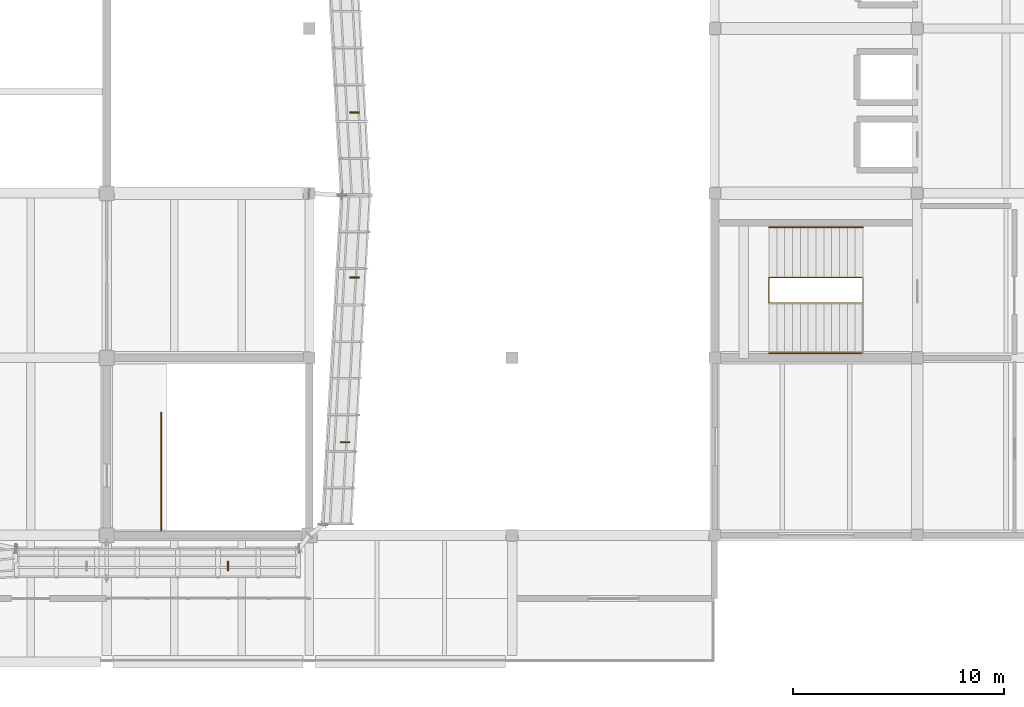
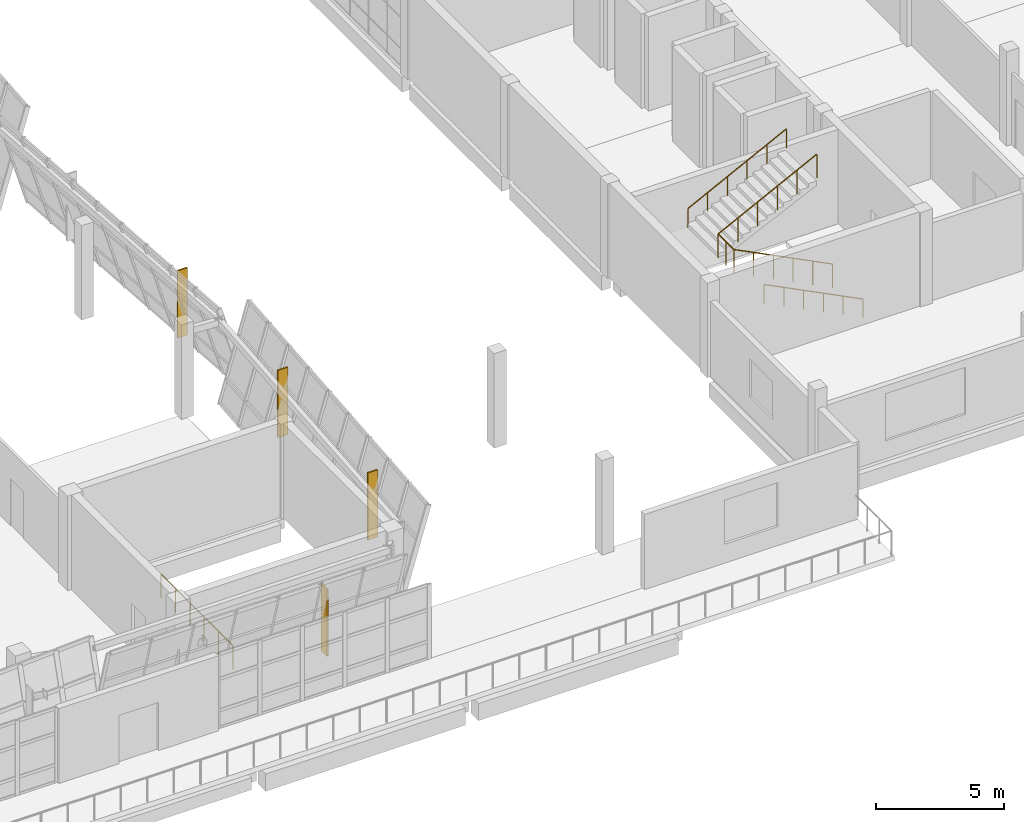
# One storey, part 63 of 67: 4 railings, 4 shading devices.
"""IFC4 building model written with IfcOpenShell, lengths in metres."""

from ifc_helpers import new_model, si_unit, direction, frame, origin, origin_2d, place, context, subcontext, project, spatial, rectangle, circle, extrude, material, type_object, element, save


model = new_model("IFC4")

# Units and contexts
model_context = context("Model", 3, precision=1e-05, world=origin(), true_north=direction((0.0, 1.0)))
body_context = subcontext(model_context, "Body", "Model", "MODEL_VIEW")
ifc_project = project(units=[si_unit("LENGTHUNIT", "METRE"), si_unit("AREAUNIT", "SQUARE_METRE"), si_unit("VOLUMEUNIT", "CUBIC_METRE"), si_unit("PLANEANGLEUNIT", "RADIAN"), si_unit("MASSUNIT", "GRAM", prefix="KILO")], contexts=[model_context])

# Site, building, storey
site_placement = place(None, origin())
site = spatial("IfcSite", under=ifc_project, at=site_placement, CompositionType="ELEMENT")
building_placement = place(site_placement, origin())
building = spatial("IfcBuilding", under=site, at=building_placement, Name="Pellamere Symphony Hall", CompositionType="ELEMENT")
storey_placement = place(building_placement, frame((0.0, 0.0, 19.5)))
storey = spatial("IfcBuildingStorey", under=building, at=storey_placement, Name="L04", CompositionType="ELEMENT", Elevation=19.5)

# Shading devices
ifc_material_1 = material(Name="Champagne-Anodised Extruded Aluminium 6063-T6", Category="aluminium")
shading_device_type = type_object("IfcShadingDeviceType", Name="Exterior Shading SD-01 65x450", PredefinedType="SHUTTER", material=ifc_material_1)
for number, where, z_axis, x_axis, name in (
    (1, (114.949951171875, 28.54345703125, 0.64990234375), (0.0, 0.0, 1.0), (1.0, 0.0, 0.0), "Crystal Acoustic Sunshade Fin CW-CR05 (L04)"),
    (2, (120.4814453125, 34.39990234375, 0.64990234375), (0.0, 0.0, 1.0), (0.0, 1.0, 0.0), "Crystal Acoustic Sunshade Fin CW-CR06 (L04)"),
    (3, (120.931396484375, 42.199951171875, 0.64990234375), (0.0, 0.0, 1.0), (0.0, 1.0, 0.0), "Crystal Acoustic Sunshade Fin CW-CR06 (L04)"),
    (4, (120.931396484375, 50.02490234375, 0.64990234375), (0.0, 0.0, 1.0), (0.0, 1.0, 0.0), "Crystal Acoustic Sunshade Fin CW-CR07 (L04)"),
):
    element("IfcShadingDevice", number, at=place(storey_placement, frame(where, z_axis=z_axis, x_axis=x_axis)), inside=storey, type_object=shading_device_type, Name=name, PredefinedType="SHUTTER", context=body_context, shape_type="SweptSolid", body=[
        extrude(rectangle(XDim=0.06494140625, YDim=0.449951171875, at=origin_2d()), origin(), (0.0, 0.0, 1.0), 3.199951171875),
    ])

# Railings
ifc_material_2 = material(Name="Painted Steel CSA G40.21 350W", Category="steel")
railing_type_1 = type_object("IfcRailingType", Name="Guardrail GR-02 H1150 Painted", PredefinedType="GUARDRAIL", material=ifc_material_2)
railing_1_placement = place(storey_placement, frame((145.02490234375, 40.989990234375, 0.0)))
element("IfcRailing", 5, at=railing_1_placement, inside=storey, type_object=railing_type_1, Name="Stair ST02-L04 Continuous Well Guardrail (L04)", PredefinedType="GUARDRAIL", context=body_context, shape_type="SweptSolid", body=[
    extrude(circle(Radius=0.02392578125, at=origin_2d()), frame((0.0, 0.0, 1.1259765625), z_axis=(-0.892410782461, 0.0, 0.451223886057), x_axis=(0.0, -1.0, 0.0)), (0.0, 0.0, 1.0), 4.986328125),
    extrude(circle(Radius=0.02392578125, at=origin_2d()), frame((-4.449951171875, 0.0, 3.3759765625), z_axis=(0.0, 1.0, 0.0), x_axis=(-1.0, 0.0, 0.0)), (0.0, 0.0, 1.0), 1.219970703125),
    extrude(circle(Radius=0.02392578125, at=origin_2d()), frame((-4.449951171875, 1.219970703125, 3.3759765625), z_axis=(0.892410782461, 0.0, 0.451223886057), x_axis=(0.0, 1.0, 0.0)), (0.0, 0.0, 1.0), 4.986328125),
    extrude(circle(Radius=0.02099609375, at=origin_2d()), origin(), (0.0, 0.0, 1.0), 1.101806640625),
    extrude(circle(Radius=0.02099609375, at=origin_2d()), frame((-0.889892578125, 0.0, 0.449951171875)), (0.0, 0.0, 1.0), 1.101806640625),
    extrude(circle(Radius=0.02099609375, at=origin_2d()), frame((-1.780029296875, 0.0, 0.89990234375)), (0.0, 0.0, 1.0), 1.101806640625),
    extrude(circle(Radius=0.02099609375, at=origin_2d()), frame((-2.669921875, 0.0, 1.35009765625)), (0.0, 0.0, 1.0), 1.101806640625),
    extrude(circle(Radius=0.02099609375, at=origin_2d()), frame((-3.56005859375, 0.0, 1.800048828125)), (0.0, 0.0, 1.0), 1.101806640625),
    extrude(circle(Radius=0.02099609375, at=origin_2d()), frame((-4.449951171875, 0.0, 2.25)), (0.0, 0.0, 1.0), 1.101806640625),
    extrude(circle(Radius=0.02099609375, at=origin_2d()), frame((-4.449951171875, 0.60986328125, 2.25)), (0.0, 0.0, 1.0), 1.101806640625),
    extrude(circle(Radius=0.02099609375, at=origin_2d()), frame((-4.449951171875, 1.219970703125, 2.25)), (0.0, 0.0, 1.0), 1.101806640625),
    extrude(circle(Radius=0.02099609375, at=origin_2d()), frame((-3.56005859375, 1.219970703125, 2.699951171875)), (0.0, 0.0, 1.0), 1.101806640625),
    extrude(circle(Radius=0.02099609375, at=origin_2d()), frame((-2.669921875, 1.219970703125, 3.14990234375)), (0.0, 0.0, 1.0), 1.101806640625),
    extrude(circle(Radius=0.02099609375, at=origin_2d()), frame((-1.780029296875, 1.219970703125, 3.60009765625)), (0.0, 0.0, 1.0), 1.101806640625),
    extrude(circle(Radius=0.02099609375, at=origin_2d()), frame((-0.889892578125, 1.219970703125, 4.050048828125)), (0.0, 0.0, 1.0), 1.101806640625),
    extrude(circle(Radius=0.02099609375, at=origin_2d()), frame((0.0, 1.219970703125, 4.5)), (0.0, 0.0, 1.0), 1.101806640625),
])
railing_2_placement = place(storey_placement, frame((111.77490234375, 30.2099609375, 0.0)))
element("IfcRailing", 6, at=railing_2_placement, inside=storey, type_object=railing_type_1, Name="Stair ST08-L03 Top Landing Well Guard (L04)", PredefinedType="GUARDRAIL", context=body_context, shape_type="SweptSolid", body=[
    extrude(circle(Radius=0.02392578125, at=origin_2d()), frame((0.0, 0.0, 1.1259765625), z_axis=(0.0, 1.0, 0.0), x_axis=(-1.0, 0.0, 0.0)), (0.0, 0.0, 1.0), 5.60009765625),
    extrude(circle(Radius=0.02099609375, at=origin_2d()), origin(), (0.0, 0.0, 1.0), 1.101806640625),
    extrude(circle(Radius=0.02099609375, at=origin_2d()), frame((0.0, 1.1201171875, 0.0)), (0.0, 0.0, 1.0), 1.101806640625),
    extrude(circle(Radius=0.02099609375, at=origin_2d()), frame((0.0, 2.239990234375, 0.0)), (0.0, 0.0, 1.0), 1.101806640625),
    extrude(circle(Radius=0.02099609375, at=origin_2d()), frame((0.0, 3.360107421875, 0.0)), (0.0, 0.0, 1.0), 1.101806640625),
    extrude(circle(Radius=0.02099609375, at=origin_2d()), frame((0.0, 4.47998046875, 0.0)), (0.0, 0.0, 1.0), 1.101806640625),
    extrude(circle(Radius=0.02099609375, at=origin_2d()), frame((0.0, 5.60009765625, 0.0)), (0.0, 0.0, 1.0), 1.101806640625),
])
ifc_material_3 = material(Name="Stainless Steel AISI 316", Category="steel")
railing_type_2 = type_object("IfcRailingType", Name="Handrail HR-01 H920 Stainless", PredefinedType="HANDRAIL", material=ifc_material_3)
railing_3_placement = place(storey_placement, frame((145.02490234375, 38.6201171875, 0.0)))
element("IfcRailing", 7, at=railing_3_placement, inside=storey, type_object=railing_type_2, Name="Stair ST02-L04 Lower Wall Handrail (L04)", PredefinedType="HANDRAIL", context=body_context, shape_type="SweptSolid", body=[
    extrude(circle(Radius=0.02392578125, at=origin_2d()), frame((0.0, 0.0, 0.89599609375), z_axis=(-0.892410782461, 0.0, 0.451223886057), x_axis=(0.0, -1.0, 0.0)), (0.0, 0.0, 1.0), 4.986328125),
    extrude(circle(Radius=0.02099609375, at=origin_2d()), origin(), (0.0, 0.0, 1.0), 0.871826171875),
    extrude(circle(Radius=0.02099609375, at=origin_2d()), frame((-0.889892578125, 0.0, 0.449951171875)), (0.0, 0.0, 1.0), 0.871826171875),
    extrude(circle(Radius=0.02099609375, at=origin_2d()), frame((-1.780029296875, 0.0, 0.89990234375)), (0.0, 0.0, 1.0), 0.871826171875),
    extrude(circle(Radius=0.02099609375, at=origin_2d()), frame((-2.669921875, 0.0, 1.35009765625)), (0.0, 0.0, 1.0), 0.871826171875),
    extrude(circle(Radius=0.02099609375, at=origin_2d()), frame((-3.56005859375, 0.0, 1.800048828125)), (0.0, 0.0, 1.0), 0.871826171875),
    extrude(circle(Radius=0.02099609375, at=origin_2d()), frame((-4.449951171875, 0.0, 2.25)), (0.0, 0.0, 1.0), 0.871826171875),
])
railing_4_placement = place(storey_placement, frame((140.574951171875, 44.580078125, 2.25)))
element("IfcRailing", 8, at=railing_4_placement, inside=storey, type_object=railing_type_2, Name="Stair ST02-L04 Upper Wall Handrail (L04)", PredefinedType="HANDRAIL", context=body_context, shape_type="SweptSolid", body=[
    extrude(circle(Radius=0.02392578125, at=origin_2d()), frame((0.0, 0.0, 0.89599609375), z_axis=(0.892410782461, 0.0, 0.451223886057), x_axis=(0.0, 1.0, 0.0)), (0.0, 0.0, 1.0), 4.986328125),
    extrude(circle(Radius=0.02099609375, at=origin_2d()), origin(), (0.0, 0.0, 1.0), 0.871826171875),
    extrude(circle(Radius=0.02099609375, at=origin_2d()), frame((0.889892578125, 0.0, 0.449951171875)), (0.0, 0.0, 1.0), 0.871826171875),
    extrude(circle(Radius=0.02099609375, at=origin_2d()), frame((1.780029296875, 0.0, 0.89990234375)), (0.0, 0.0, 1.0), 0.871826171875),
    extrude(circle(Radius=0.02099609375, at=origin_2d()), frame((2.669921875, 0.0, 1.35009765625)), (0.0, 0.0, 1.0), 0.871826171875),
    extrude(circle(Radius=0.02099609375, at=origin_2d()), frame((3.56005859375, 0.0, 1.800048828125)), (0.0, 0.0, 1.0), 0.871826171875),
    extrude(circle(Radius=0.02099609375, at=origin_2d()), frame((4.449951171875, 0.0, 2.25)), (0.0, 0.0, 1.0), 0.871826171875),
])

save(model, "model.ifc")
